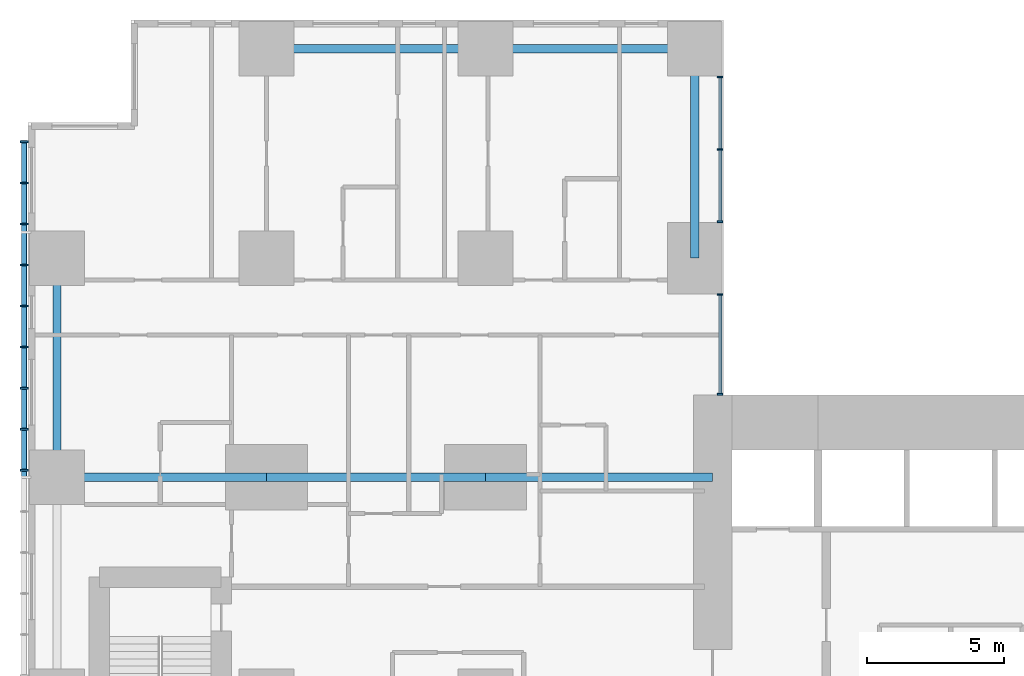
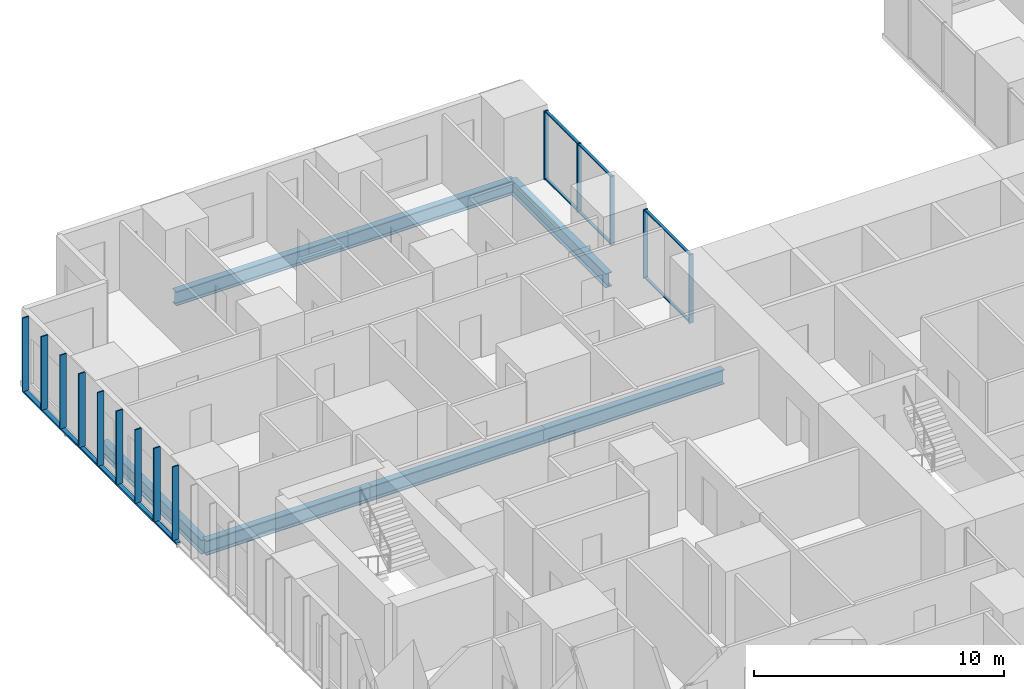
# One storey, part 4 of 20: 21 members, 7 beams, 2 elements without a shape of their own.
"""IFC4 building model written with IfcOpenShell, lengths in metres."""

from ifc_helpers import new_model, si_unit, direction, frame, origin, origin_2d, place, context, subcontext, project, spatial, rectangle, hollow_rectangle, i_section, extrude, material, layer, layer_set, material_profile, profile_set, type_object, element, aggregate, save


model = new_model("IFC4")

# Units and contexts
model_context = context("Model", 3, precision=1e-05, world=origin(), true_north=direction((0.0, 1.0)))
body_context = subcontext(model_context, "Body", "Model", "MODEL_VIEW")
ifc_project = project(units=[si_unit("LENGTHUNIT", "METRE"), si_unit("AREAUNIT", "SQUARE_METRE"), si_unit("VOLUMEUNIT", "CUBIC_METRE"), si_unit("PLANEANGLEUNIT", "RADIAN"), si_unit("MASSUNIT", "GRAM", prefix="KILO")], contexts=[model_context])

# Site, building, storey
site_placement = place(None, origin())
site = spatial("IfcSite", under=ifc_project, at=site_placement, CompositionType="ELEMENT")
building_placement = place(site_placement, origin())
building = spatial("IfcBuilding", under=site, at=building_placement, Name="Cleftline Residences", CompositionType="ELEMENT")
storey_placement = place(building_placement, frame((0.0, 0.0, 114.199951171875)))
storey = spatial("IfcBuildingStorey", under=building, at=storey_placement, Name="L29", CompositionType="ELEMENT", Elevation=114.199951171875)

# Member
ifc_material_1 = material(Name="Steel S355, hot-dip galvanised", Category="steel")
ifc_material_profile_1 = material_profile(ifc_material_1, hollow_rectangle(XDim=0.10009765625, YDim=0.199951171875, WallThickness=0.008056640625, InnerFilletRadius=0.008056640625, OuterFilletRadius=0.011962890625, at=origin_2d()))
ifc_profile_set_1 = profile_set([ifc_material_profile_1], Name="Steel S355, hot-dip galvanised")
member_type_1 = type_object("IfcMemberType", Name="BAGUETTE CARRIER RHS 200X100X8", PredefinedType="USERDEFINED", material=ifc_profile_set_1)
member_1_placement = place(storey_placement, frame((-0.85009765625, 44.300048828125, -0.050048828125), z_axis=(0.0, -1.0, 0.0), x_axis=(0.0, 0.0, 1.0)))
element("IfcMember", 1, at=member_1_placement, inside=storey, type_object=member_type_1, Name="Baguette carrier", ObjectType="BAGUETTE CARRIER", PredefinedType="USERDEFINED", context=body_context, shape_type="SweptSolid", body=[
    extrude(hollow_rectangle(XDim=0.10009765625, YDim=0.199951171875, WallThickness=0.008056640625, InnerFilletRadius=0.008056640625, OuterFilletRadius=0.011962890625, at=origin_2d()), origin(), (0.0, 0.0, 1.0), 12.300048828125),
])

# Beams
ifc_material_2 = material(Name="Steel S355", Category="steel")
ifc_material_profile_2 = material_profile(ifc_material_2, i_section(OverallWidth=0.300048828125, OverallDepth=0.699951171875, WebThickness=0.01708984375, FlangeThickness=0.031982421875, FilletRadius=0.027099609375, at=origin_2d()))
ifc_profile_set_2 = profile_set([ifc_material_profile_2], Name="Steel S355")
beam_type_1 = type_object("IfcBeamType", Name="BEAM HEB 700", PredefinedType="BEAM", material=ifc_profile_set_2)
for number, where, z_axis, x_axis, name in (
    (2, (0.35009765625, 32.0, -0.599853515625), (0.0, 1.0, 0.0), (-1.0, 0.0, 0.0), "Edge beam"),
    (3, (8.0, 47.64990234375, -0.599853515625), (1.0, 0.0, 0.0), (0.0, 1.0, 0.0), "Edge beam"),
):
    element("IfcBeam", number, at=place(storey_placement, frame(where, z_axis=z_axis, x_axis=x_axis)), inside=storey, type_object=beam_type_1, Name=name, PredefinedType="BEAM", context=body_context, shape_type="SweptSolid", body=[
        extrude(i_section(OverallWidth=0.300048828125, OverallDepth=0.699951171875, WebThickness=0.01708984375, FlangeThickness=0.031982421875, FilletRadius=0.027099609375, at=origin_2d()), origin(), (0.0, 0.0, 1.0), 8.0),
    ])
for number, where, z_axis, x_axis, name in (
    (4, (16.0, 47.64990234375, -0.599853515625), (1.0, 0.0, 0.0), (0.0, 1.0, 0.0), "Edge beam"),
    (5, (23.64990234375, 47.64990234375, -0.599853515625), (0.0, -1.0, 0.0), (1.0, 0.0, 0.0), "Edge beam"),
):
    element("IfcBeam", number, at=place(storey_placement, frame(where, z_axis=z_axis, x_axis=x_axis)), inside=storey, type_object=beam_type_1, Name=name, PredefinedType="BEAM", context=body_context, shape_type="SweptSolid", body=[
        extrude(i_section(OverallWidth=0.300048828125, OverallDepth=0.699951171875, WebThickness=0.01708984375, FlangeThickness=0.031982421875, FilletRadius=0.027099609375, at=origin_2d()), origin(), (0.0, 0.0, 1.0), 7.64990234375),
    ])
ifc_material_3 = material(Name="Steel S355", Category="steel")
ifc_material_profile_3 = material_profile(ifc_material_3, i_section(OverallWidth=0.303955078125, OverallDepth=0.716064453125, WebThickness=0.02099609375, FlangeThickness=0.0400390625, FilletRadius=0.027099609375, at=origin_2d()))
ifc_profile_set_3 = profile_set([ifc_material_profile_3], Name="Steel S355")
beam_type_2 = type_object("IfcBeamType", Name="BEAM HEM 700", PredefinedType="BEAM", material=ifc_profile_set_3)
beam_1_placement = place(storey_placement, frame((0.35009765625, 32.0, -0.60791015625), z_axis=(1.0, 0.0, 0.0), x_axis=(0.0, 1.0, 0.0)))
element("IfcBeam", 6, at=beam_1_placement, inside=storey, type_object=beam_type_2, Name="Band beam", PredefinedType="BEAM", context=body_context, shape_type="SweptSolid", body=[
    extrude(i_section(OverallWidth=0.303955078125, OverallDepth=0.716064453125, WebThickness=0.02099609375, FlangeThickness=0.0400390625, FilletRadius=0.027099609375, at=origin_2d()), origin(), (0.0, 0.0, 1.0), 7.64990234375),
])
beam_2_placement = place(storey_placement, frame((8.0, 32.0, -0.60791015625), z_axis=(1.0, 0.0, 0.0), x_axis=(0.0, 1.0, 0.0)))
element("IfcBeam", 7, at=beam_2_placement, inside=storey, type_object=beam_type_2, Name="Band beam", PredefinedType="BEAM", context=body_context, shape_type="SweptSolid", body=[
    extrude(i_section(OverallWidth=0.303955078125, OverallDepth=0.716064453125, WebThickness=0.02099609375, FlangeThickness=0.0400390625, FilletRadius=0.027099609375, at=origin_2d()), origin(), (0.0, 0.0, 1.0), 8.0),
])
beam_3_placement = place(storey_placement, frame((16.0, 32.0, -0.60791015625), z_axis=(1.0, 0.0, 0.0), x_axis=(0.0, 1.0, 0.0)))
element("IfcBeam", 8, at=beam_3_placement, inside=storey, type_object=beam_type_2, Name="Band beam", PredefinedType="BEAM", context=body_context, shape_type="SweptSolid", body=[
    extrude(i_section(OverallWidth=0.303955078125, OverallDepth=0.716064453125, WebThickness=0.02099609375, FlangeThickness=0.0400390625, FilletRadius=0.027099609375, at=origin_2d()), origin(), (0.0, 0.0, 1.0), 8.300048828125),
])

# Curtain wall, members
ifc_material_4 = material(Name="Aluminium framed curtain wall", Category="aluminium")
ifc_layer = layer(ifc_material_4, 0.199951171875)
ifc_layer_set = layer_set([ifc_layer], Name="CW1 CLEFT GLAZING")
curtain_wall_type = type_object("IfcCurtainWallType", Name="CW1 CLEFT GLAZING", PredefinedType="NOTDEFINED", material=ifc_layer_set)
curtain_wall_1_placement = place(storey_placement, origin())
curtain_wall_1 = element("IfcCurtainWall", 9, at=curtain_wall_1_placement, inside=storey, type_object=curtain_wall_type, Name="Curtain wall CW1", PredefinedType="NOTDEFINED")
ifc_material_5 = material(Name="Aluminium mullion", Category="aluminium")
ifc_material_profile_4 = material_profile(ifc_material_5, rectangle(XDim=0.199951171875, YDim=0.06005859375, at=origin_2d()))
ifc_profile_set_4 = profile_set([ifc_material_profile_4], Name="Aluminium mullion")
member_type_2 = type_object("IfcMemberType", Name="CW1 MULLION", PredefinedType="MULLION", material=ifc_profile_set_4)
member_2_placement = place(storey_placement, frame((24.574951171875, 35.030029296875, 0.0), z_axis=(0.0, 0.0, 1.0), x_axis=(-1.0, 0.0, 0.0)))
member_2 = element("IfcMember", 10, at=member_2_placement, type_object=member_type_2, Name="CW1 mullion 1", PredefinedType="MULLION", context=body_context, shape_type="SweptSolid", body=[
    extrude(rectangle(XDim=0.199951171875, YDim=0.06005859375, at=origin_2d()), origin(), (0.0, 0.0, 1.0), 3.35009765625),
])
member_3_placement = place(storey_placement, frame((24.574951171875, 38.669921875, 0.0), z_axis=(0.0, 0.0, 1.0), x_axis=(-1.0, 0.0, 0.0)))
member_3 = element("IfcMember", 11, at=member_3_placement, type_object=member_type_2, Name="CW1 mullion 2", PredefinedType="MULLION", context=body_context, shape_type="SweptSolid", body=[
    extrude(rectangle(XDim=0.199951171875, YDim=0.06005859375, at=origin_2d()), origin(), (0.0, 0.0, 1.0), 3.35009765625),
])

curtain_wall_2_placement = place(storey_placement, origin())
curtain_wall_2 = element("IfcCurtainWall", 12, at=curtain_wall_2_placement, inside=storey, type_object=curtain_wall_type, Name="Curtain wall CW1", PredefinedType="NOTDEFINED")
member_4_placement = place(storey_placement, frame((24.574951171875, 41.330078125, 0.0), z_axis=(0.0, 0.0, 1.0), x_axis=(-1.0, 0.0, 0.0)))
member_4 = element("IfcMember", 13, at=member_4_placement, type_object=member_type_2, Name="CW1 mullion 1", PredefinedType="MULLION", context=body_context, shape_type="SweptSolid", body=[
    extrude(rectangle(XDim=0.199951171875, YDim=0.06005859375, at=origin_2d()), origin(), (0.0, 0.0, 1.0), 3.35009765625),
])
member_5_placement = place(storey_placement, frame((24.574951171875, 43.97509765625, 0.0), z_axis=(0.0, 0.0, 1.0), x_axis=(-1.0, 0.0, 0.0)))
member_5 = element("IfcMember", 14, at=member_5_placement, type_object=member_type_2, Name="CW1 mullion 2", PredefinedType="MULLION", context=body_context, shape_type="SweptSolid", body=[
    extrude(rectangle(XDim=0.199951171875, YDim=0.06005859375, at=origin_2d()), origin(), (0.0, 0.0, 1.0), 3.35009765625),
])
member_6_placement = place(storey_placement, frame((24.574951171875, 46.6201171875, 0.0), z_axis=(0.0, 0.0, 1.0), x_axis=(-1.0, 0.0, 0.0)))
member_6 = element("IfcMember", 15, at=member_6_placement, type_object=member_type_2, Name="CW1 mullion 3", PredefinedType="MULLION", context=body_context, shape_type="SweptSolid", body=[
    extrude(rectangle(XDim=0.199951171875, YDim=0.06005859375, at=origin_2d()), origin(), (0.0, 0.0, 1.0), 3.35009765625),
])

# Member
ifc_material_6 = material(Name="Aluminium transom", Category="aluminium")
ifc_material_profile_5 = material_profile(ifc_material_6, rectangle(XDim=0.1201171875, YDim=0.06005859375, at=origin_2d()))
ifc_profile_set_5 = profile_set([ifc_material_profile_5], Name="Aluminium transom")
member_type_3 = type_object("IfcMemberType", Name="CW1 TRANSOM", PredefinedType="USERDEFINED", material=ifc_profile_set_5)
member_7_placement = place(storey_placement, frame((24.574951171875, 35.06005859375, 0.030029296875), z_axis=(0.0, 1.0, 0.0), x_axis=(-1.0, 0.0, 0.0)))
member_7 = element("IfcMember", 16, at=member_7_placement, type_object=member_type_3, Name="CW1 transom 1.1", ObjectType="TRANSOM", PredefinedType="USERDEFINED", context=body_context, shape_type="SweptSolid", body=[
    extrude(rectangle(XDim=0.1201171875, YDim=0.06005859375, at=origin_2d()), origin(), (0.0, 0.0, 1.0), 3.579833984375),
])

member_8_placement = place(storey_placement, frame((24.574951171875, 35.06005859375, 3.320068359375), z_axis=(0.0, 1.0, 0.0), x_axis=(-1.0, 0.0, 0.0)))
member_8 = element("IfcMember", 17, at=member_8_placement, type_object=member_type_3, Name="CW1 transom 1.2", ObjectType="TRANSOM", PredefinedType="USERDEFINED", context=body_context, shape_type="SweptSolid", body=[
    extrude(rectangle(XDim=0.1201171875, YDim=0.06005859375, at=origin_2d()), origin(), (0.0, 0.0, 1.0), 3.579833984375),
])

aggregate(curtain_wall_1, [member_2, member_3, member_7, member_8])

member_9_placement = place(storey_placement, frame((24.574951171875, 41.360107421875, 0.030029296875), z_axis=(0.0, 1.0, 0.0), x_axis=(-1.0, 0.0, 0.0)))
member_9 = element("IfcMember", 18, at=member_9_placement, type_object=member_type_3, Name="CW1 transom 1.1", ObjectType="TRANSOM", PredefinedType="USERDEFINED", context=body_context, shape_type="SweptSolid", body=[
    extrude(rectangle(XDim=0.1201171875, YDim=0.06005859375, at=origin_2d()), origin(), (0.0, 0.0, 1.0), 2.5849609375),
])

member_10_placement = place(storey_placement, frame((24.574951171875, 41.360107421875, 3.320068359375), z_axis=(0.0, 1.0, 0.0), x_axis=(-1.0, 0.0, 0.0)))
member_10 = element("IfcMember", 19, at=member_10_placement, type_object=member_type_3, Name="CW1 transom 1.2", ObjectType="TRANSOM", PredefinedType="USERDEFINED", context=body_context, shape_type="SweptSolid", body=[
    extrude(rectangle(XDim=0.1201171875, YDim=0.06005859375, at=origin_2d()), origin(), (0.0, 0.0, 1.0), 2.5849609375),
])

member_11_placement = place(storey_placement, frame((24.574951171875, 44.0048828125, 0.030029296875), z_axis=(0.0, 1.0, 0.0), x_axis=(-1.0, 0.0, 0.0)))
member_11 = element("IfcMember", 20, at=member_11_placement, type_object=member_type_3, Name="CW1 transom 2.1", ObjectType="TRANSOM", PredefinedType="USERDEFINED", context=body_context, shape_type="SweptSolid", body=[
    extrude(rectangle(XDim=0.1201171875, YDim=0.06005859375, at=origin_2d()), origin(), (0.0, 0.0, 1.0), 2.585205078125),
])

member_12_placement = place(storey_placement, frame((24.574951171875, 44.0048828125, 3.320068359375), z_axis=(0.0, 1.0, 0.0), x_axis=(-1.0, 0.0, 0.0)))
member_12 = element("IfcMember", 21, at=member_12_placement, type_object=member_type_3, Name="CW1 transom 2.2", ObjectType="TRANSOM", PredefinedType="USERDEFINED", context=body_context, shape_type="SweptSolid", body=[
    extrude(rectangle(XDim=0.1201171875, YDim=0.06005859375, at=origin_2d()), origin(), (0.0, 0.0, 1.0), 2.585205078125),
])

aggregate(curtain_wall_2, [member_4, member_5, member_6, member_9, member_10, member_11, member_12])

# Members
ifc_material_7 = material(Name="Extruded terracotta", Category="masonry")
ifc_material_profile_6 = material_profile(ifc_material_7, rectangle(XDim=0.06005859375, YDim=0.300048828125, at=origin_2d()))
ifc_profile_set_6 = profile_set([ifc_material_profile_6], Name="Extruded terracotta")
member_type_4 = type_object("IfcMemberType", Name="TERRACOTTA BAGUETTE 60X300", PredefinedType="USERDEFINED", material=ifc_profile_set_6)
for number, where, z_axis, x_axis, name in (
    (22, (-0.85009765625, 44.25, 0.0), (0.0, 0.0, 1.0), (0.0, 1.0, 0.0), "Terracotta baguette"),
    (23, (-0.85009765625, 42.75, 0.0), (0.0, 0.0, 1.0), (0.0, 1.0, 0.0), "Terracotta baguette"),
    (24, (-0.85009765625, 41.25, 0.0), (0.0, 0.0, 1.0), (0.0, 1.0, 0.0), "Terracotta baguette"),
    (25, (-0.85009765625, 39.75, 0.0), (0.0, 0.0, 1.0), (0.0, 1.0, 0.0), "Terracotta baguette"),
    (26, (-0.85009765625, 38.25, 0.0), (0.0, 0.0, 1.0), (0.0, 1.0, 0.0), "Terracotta baguette"),
    (27, (-0.85009765625, 36.75, 0.0), (0.0, 0.0, 1.0), (0.0, 1.0, 0.0), "Terracotta baguette"),
    (28, (-0.85009765625, 35.25, 0.0), (0.0, 0.0, 1.0), (0.0, 1.0, 0.0), "Terracotta baguette"),
    (29, (-0.85009765625, 33.75, 0.0), (0.0, 0.0, 1.0), (0.0, 1.0, 0.0), "Terracotta baguette"),
    (30, (-0.85009765625, 32.25, 0.0), (0.0, 0.0, 1.0), (0.0, 1.0, 0.0), "Terracotta baguette"),
):
    element("IfcMember", number, at=place(storey_placement, frame(where, z_axis=z_axis, x_axis=x_axis)), inside=storey, type_object=member_type_4, Name=name, ObjectType="BAGUETTE", PredefinedType="USERDEFINED", context=body_context, shape_type="SweptSolid", body=[
        extrude(rectangle(XDim=0.06005859375, YDim=0.300048828125, at=origin_2d()), origin(), (0.0, 0.0, 1.0), 3.60009765625),
    ])

save(model, "model.ifc")
